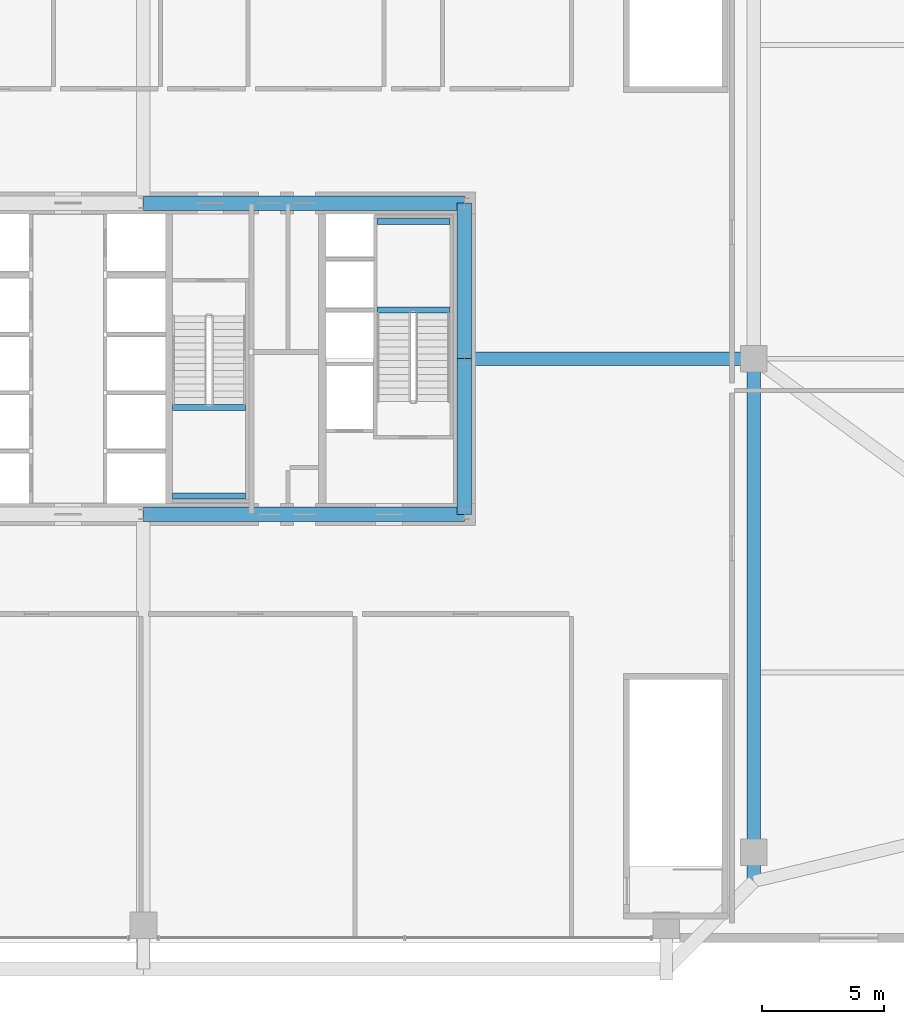
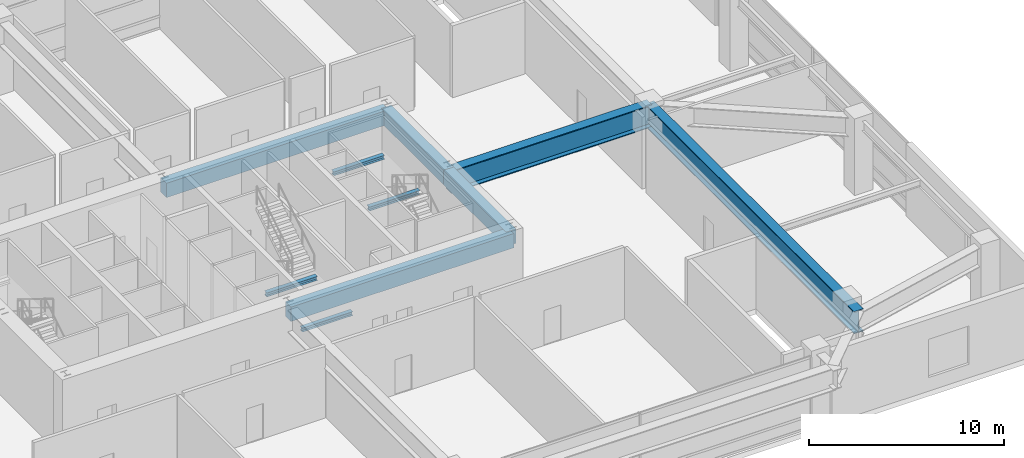
# One storey, part 16 of 34: 10 beams.
"""IFC4 building model written with IfcOpenShell, lengths in metres."""

from ifc_helpers import new_model, si_unit, direction, frame, origin, origin_2d, place, context, subcontext, project, spatial, rectangle, i_section, extrude, source, transform, mapped, material, material_profile, profile_set, type_object, element, save


model = new_model("IFC4")

# Units and contexts
model_context = context("Model", 3, precision=1e-05, world=origin(), true_north=direction((0.0, 1.0)))
body_context = subcontext(model_context, "Body", "Model", "MODEL_VIEW")
ifc_project = project(units=[si_unit("LENGTHUNIT", "METRE"), si_unit("AREAUNIT", "SQUARE_METRE"), si_unit("VOLUMEUNIT", "CUBIC_METRE"), si_unit("PLANEANGLEUNIT", "RADIAN"), si_unit("MASSUNIT", "GRAM", prefix="KILO"), si_unit("THERMODYNAMICTEMPERATUREUNIT", "KELVIN"), si_unit("POWERUNIT", "WATT")], contexts=[model_context])

# Site, building, storey
site_placement = place(None, origin())
site = spatial("IfcSite", under=ifc_project, at=site_placement, CompositionType="ELEMENT")
building_placement = place(site_placement, origin())
building = spatial("IfcBuilding", under=site, at=building_placement, Name="Yuzanri Waterfront Tower", CompositionType="ELEMENT")
storey_placement = place(building_placement, frame((0.0, 0.0, 25.800048828125)))
storey = spatial("IfcBuildingStorey", under=building, at=storey_placement, Name="L06", CompositionType="ELEMENT", Elevation=25.800048828125)

# Beams
ifc_material_1 = material(Name="Concrete C60", Category="concrete")
ifc_material_profile_1 = material_profile(ifc_material_1, rectangle(XDim=0.60009765625, YDim=0.89990234375, at=origin_2d()), Name="RC 600x900")
ifc_profile_set_1 = profile_set([ifc_material_profile_1], Name="Concrete C60")
beam_type_1 = type_object("IfcBeamType", Name="Core Coupling Lintel Concrete C60 600x900", PredefinedType="LINTEL", material=ifc_profile_set_1)
shared_shape_1 = source(origin(), body_context, "Body", "SweptSolid", [
    extrude(rectangle(XDim=0.60009765625, YDim=0.89990234375, at=origin_2d()), origin(), (0.0, 0.0, 1.0), 13.199951171875),
])
for number, where, z_axis, x_axis, name in (
    (1, (37.0, 19.39990234375, 4.050048828125), (1.0, 0.0, 0.0), (0.0, 1.0, 0.0), "L06 Core Tie Beam CS2"),
    (2, (37.0, 32.199951171875, 4.050048828125), (1.0, 0.0, 0.0), (0.0, 1.0, 0.0), "L06 Core Tie Beam CN2"),
):
    element("IfcBeam", number, at=place(storey_placement, frame(where, z_axis=z_axis, x_axis=x_axis)), inside=storey, type_object=beam_type_1, Name=name, PredefinedType="LINTEL", context=body_context, shape_type="MappedRepresentation", body=[
        mapped(shared_shape_1, transform((0.0, 0.0, 0.0), scale=1.0)),
    ])
shared_shape_2 = source(origin(), body_context, "Body", "SweptSolid", [
    extrude(rectangle(XDim=0.60009765625, YDim=0.89990234375, at=origin_2d()), origin(), (0.0, 0.0, 1.0), 6.400146484375),
])
beam_1_placement = place(storey_placement, frame((50.199951171875, 19.39990234375, 4.050048828125), z_axis=(0.0, 1.0, 0.0), x_axis=(-1.0, 0.0, 0.0)))
element("IfcBeam", 3, at=beam_1_placement, inside=storey, type_object=beam_type_1, Name="L06 Core Tie Beam CE1", PredefinedType="LINTEL", context=body_context, shape_type="MappedRepresentation", body=[
    mapped(shared_shape_2, transform((0.0, 0.0, 0.0), scale=1.0)),
])
shared_shape_3 = source(origin(), body_context, "Body", "SweptSolid", [
    extrude(rectangle(XDim=0.60009765625, YDim=0.89990234375, at=origin_2d()), origin(), (0.0, 0.0, 1.0), 6.39990234375),
])
beam_2_placement = place(storey_placement, frame((50.199951171875, 25.800048828125, 4.050048828125), z_axis=(0.0, 1.0, 0.0), x_axis=(-1.0, 0.0, 0.0)))
element("IfcBeam", 4, at=beam_2_placement, inside=storey, type_object=beam_type_1, Name="L06 Core Tie Beam CE2", PredefinedType="LINTEL", context=body_context, shape_type="MappedRepresentation", body=[
    mapped(shared_shape_3, transform((0.0, 0.0, 0.0), scale=1.0)),
])
ifc_material_2 = material(Name="Steel Q420GJC", Category="steel")
ifc_material_profile_2 = material_profile(ifc_material_2, i_section(OverallWidth=0.550048828125, OverallDepth=1.39990234375, WebThickness=0.030029296875, FlangeThickness=0.054931640625, at=origin_2d()), Name="PG 1400x550x30x55")
ifc_profile_set_2 = profile_set([ifc_material_profile_2], Name="Steel Q420GJC")
beam_type_2 = type_object("IfcBeamType", Name="Tower Base Transfer Girder Q420GJC PG 1400x550", PredefinedType="USERDEFINED", material=ifc_profile_set_2)
shared_shape_4 = source(origin(), body_context, "Body", "SweptSolid", [
    extrude(i_section(OverallWidth=0.550048828125, OverallDepth=1.39990234375, WebThickness=0.030029296875, FlangeThickness=0.054931640625, at=origin_2d()), origin(), (0.0, 0.0, 1.0), 11.900146484375),
])
beam_3_placement = place(storey_placement, frame((50.199951171875, 25.800048828125, 3.800048828125), z_axis=(1.0, 0.0, 0.0), x_axis=(0.0, 1.0, 0.0)))
element("IfcBeam", 5, at=beam_3_placement, inside=storey, type_object=beam_type_2, Name="L06 Tower Base Transfer E2A", ObjectType="GIRDER", PredefinedType="USERDEFINED", context=body_context, shape_type="MappedRepresentation", body=[
    mapped(shared_shape_4, transform((0.0, 0.0, 0.0), scale=1.0)),
])
shared_shape_5 = source(origin(), body_context, "Body", "SweptSolid", [
    extrude(i_section(OverallWidth=0.550048828125, OverallDepth=1.39990234375, WebThickness=0.030029296875, FlangeThickness=0.054931640625, at=origin_2d()), origin(), (0.0, 0.0, 1.0), 21.5),
])
beam_4_placement = place(storey_placement, frame((62.10009765625, 4.300048828125, 3.800048828125), z_axis=(0.0, 1.0, 0.0), x_axis=(-1.0, 0.0, 0.0)))
element("IfcBeam", 6, at=beam_4_placement, inside=storey, type_object=beam_type_2, Name="L06 Tower Base Ring E1-E2", ObjectType="GIRDER", PredefinedType="USERDEFINED", context=body_context, shape_type="MappedRepresentation", body=[
    mapped(shared_shape_5, transform((0.0, 0.0, 0.0), scale=1.0)),
])
ifc_material_3 = material(Name="Steel Q355B", Category="steel")
ifc_material_profile_3 = material_profile(ifc_material_3, i_section(OverallWidth=0.25, OverallDepth=0.25, WebThickness=0.009033203125, FlangeThickness=0.013916015625, at=origin_2d()), Name="HW 250x250x9x14")
ifc_profile_set_3 = profile_set([ifc_material_profile_3], Name="Steel Q355B")
beam_type_3 = type_object("IfcBeamType", Name="Stair Landing Support Beam Q355B HW 250x250", PredefinedType="BEAM", material=ifc_profile_set_3)
shared_shape_6 = source(origin(), body_context, "Body", "SweptSolid", [
    extrude(i_section(OverallWidth=0.25, OverallDepth=0.25, WebThickness=0.009033203125, FlangeThickness=0.013916015625, at=origin_2d()), origin(), (0.0, 0.0, 1.0), 3.0),
])
for number, where, z_axis, x_axis, name in (
    (7, (46.60009765625, 27.81005859375, 2.074951171875), (1.0, 0.0, 0.0), (0.0, 1.0, 0.0), "L06 Stair Landing Support Beam ST-02-L06-L1-1"),
    (8, (46.60009765625, 31.449951171875, 2.074951171875), (1.0, 0.0, 0.0), (0.0, 1.0, 0.0), "L06 Stair Landing Support Beam ST-02-L06-L1-2"),
    (9, (38.199951171875, 20.14990234375, 2.074951171875), (1.0, 0.0, 0.0), (0.0, 1.0, 0.0), "L06 Stair Landing Support Beam ST-03-L06-L1-1"),
    (10, (38.199951171875, 23.7900390625, 2.074951171875), (1.0, 0.0, 0.0), (0.0, 1.0, 0.0), "L06 Stair Landing Support Beam ST-03-L06-L1-2"),
):
    element("IfcBeam", number, at=place(storey_placement, frame(where, z_axis=z_axis, x_axis=x_axis)), inside=storey, type_object=beam_type_3, Name=name, PredefinedType="BEAM", context=body_context, shape_type="MappedRepresentation", body=[
        mapped(shared_shape_6, transform((0.0, 0.0, 0.0), scale=1.0)),
    ])

save(model, "model.ifc")
